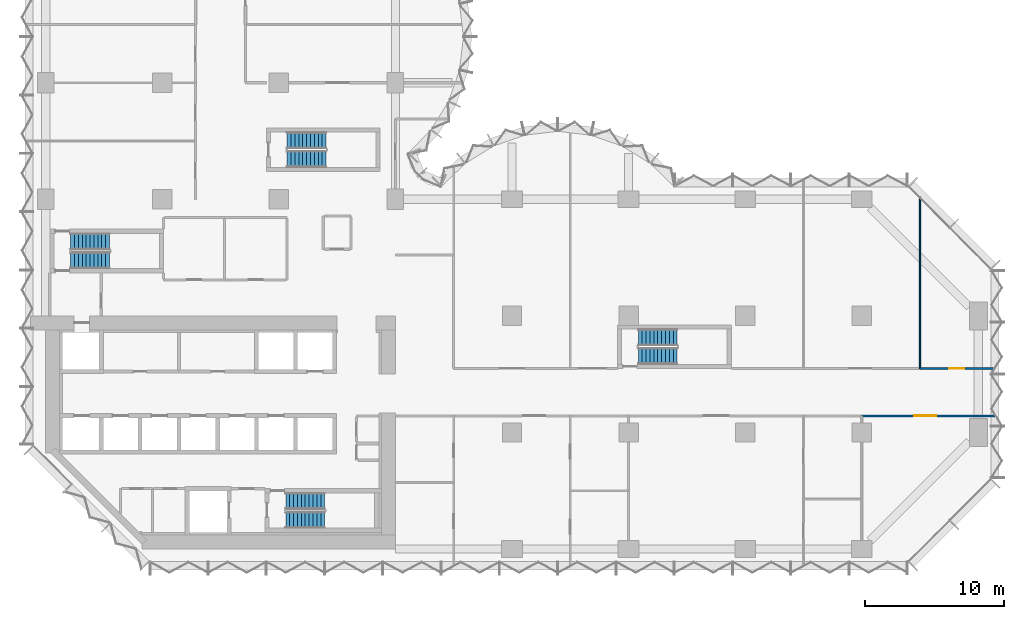
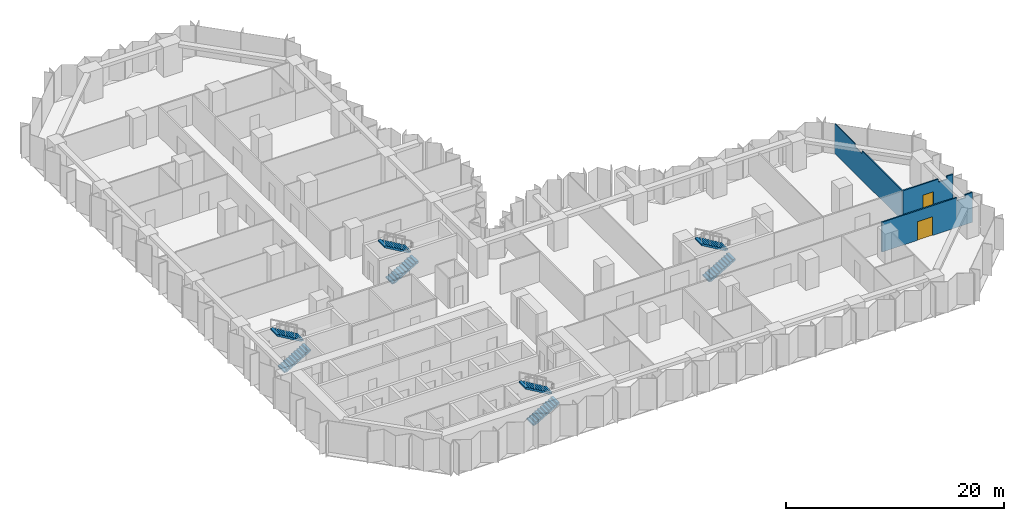
# One storey, part 12 of 15: 8 stair flights, 3 walls, 2 doors, 2 openings, 4 elements without a shape of their own.
"""IFC4 building model written with IfcOpenShell, lengths in metres."""

from ifc_helpers import new_model, si_unit, direction, frame, frame_2d, origin, place, context, subcontext, project, spatial, polyline, rectangle, outline, extrude, material, layer, layer_set, type_object, element, fill, aggregate, save


model = new_model("IFC4")

# Units and contexts
model_context = context("Model", 3, precision=1e-05, world=origin(), true_north=direction((0.0, 1.0)))
body_context = subcontext(model_context, "Body", "Model", "MODEL_VIEW")
ifc_project = project(units=[si_unit("LENGTHUNIT", "METRE"), si_unit("AREAUNIT", "SQUARE_METRE"), si_unit("VOLUMEUNIT", "CUBIC_METRE"), si_unit("PLANEANGLEUNIT", "RADIAN"), si_unit("MASSUNIT", "GRAM", prefix="KILO")], contexts=[model_context])

# Site, building, storey
site_placement = place(None, origin())
site = spatial("IfcSite", under=ifc_project, at=site_placement, CompositionType="ELEMENT")
building_placement = place(site_placement, origin())
building = spatial("IfcBuilding", under=site, at=building_placement, Name="Brevane Broadcast Tower", CompositionType="ELEMENT")
storey_placement = place(building_placement, frame((0.0, 0.0, 47.300048828125)))
storey = spatial("IfcBuildingStorey", under=building, at=storey_placement, Name="L09", CompositionType="ELEMENT", Elevation=47.300048828125)

# Wall
ifc_material_1 = material(Name="Gypsum board partition")
ifc_layer_1 = layer(ifc_material_1, 0.10009765625)
ifc_layer_set_1 = layer_set([ifc_layer_1], Name="PARTITION 100 STUD")
wall_type_1 = type_object("IfcWallType", Name="PARTITION 100 STUD", PredefinedType="PARTITIONING", material=ifc_layer_set_1)
wall_1_placement = place(storey_placement, frame((63.0, 25.39990234375, 0.0), z_axis=(0.0, 0.0, 1.0), x_axis=(0.0, -1.0, 0.0)))
element("IfcWall", 1, at=wall_1_placement, inside=storey, type_object=wall_type_1, Name="Partition G02-034", PredefinedType="PARTITIONING", context=body_context, shape_type="SweptSolid", body=[
    extrude(outline(polyline([(0.0, 0.0), (12.39990234375, 0.0), (12.39990234375, 3.329833984375), (5.065673828125, 3.329833984375), (5.063720703125, 2.97998046875), (3.736328125, 2.97998046875), (3.734375, 3.329833984375), (0.0, 3.329833984375), (0.0, 0.0)])), frame((0.0, 0.050048828125, 0.0), z_axis=(0.0, -1.0, 0.0), x_axis=(1.0, 0.0, 0.0)), (0.0, 0.0, 1.0), 0.10009765625),
])

# Wall, opening, door
ifc_layer_2 = layer(ifc_material_1, 0.14990234375)
ifc_layer_set_2 = layer_set([ifc_layer_2], Name="PARTITION 150 EI 60")
wall_type_2 = type_object("IfcWallType", Name="PARTITION 150 EI 60", PredefinedType="PARTITIONING", material=ifc_layer_set_2)
wall_2_placement = place(storey_placement, frame((68.406982421875, 9.60009765625, 0.0), z_axis=(0.0, 0.0, 1.0), x_axis=(-1.0, 0.0, 0.0)))
wall_2 = element("IfcWall", 2, at=wall_2_placement, inside=storey, type_object=wall_type_2, Name="Partition G02-011", PredefinedType="PARTITIONING", context=body_context, shape_type="SweptSolid", body=[
    extrude(outline(polyline([(0.0, 0.0), (9.60693359375, 0.0), (9.607177734375, 3.329833984375), (1.656982421875, 3.329833984375), (1.655029296875, 2.97998046875), (0.759033203125, 2.97998046875), (0.757080078125, 3.329833984375), (0.127197265625, 3.329833984375), (0.0, 3.329833984375), (0.0, 0.0)])), frame((0.0, 0.074951171875, 0.0), z_axis=(0.0, -1.0, 0.0), x_axis=(1.0, 0.0, 0.0)), (0.0, 0.0, 1.0), 0.14990234375),
])
opening_1_placement = place(wall_2_placement, frame((4.22705078125, 0.0, 0.0)))
opening_1 = element("IfcOpeningElement", 3, at=opening_1_placement, cuts=wall_2, Name="Opening D08-010", PredefinedType="OPENING", context=body_context, shape_type="SweptSolid", body=[
    extrude(rectangle(XDim=1.60009765625, YDim=2.10009765625, at=frame_2d((0.800048828125, 1.050048828125))), frame((0.0, 0.0849609375, 0.0), z_axis=(0.0, -1.0, 0.0), x_axis=(1.0, 0.0, 0.0)), (0.0, 0.0, 1.0), 0.169921875),
])
ifc_material_2 = material(Name="Fire-rated timber door leaf", Category="wood")
door_type_1 = type_object("IfcDoorType", Name="DOOR DOUBLE 1600 FD30S", OperationType="DOUBLE_DOOR_SINGLE_SWING", PredefinedType="DOOR", material=ifc_material_2)
door_1_placement = place(opening_1_placement, origin())
door_1 = element("IfcDoor", 4, at=door_1_placement, inside=storey, type_object=door_type_1, Name="Door D08-010", OperationType="DOUBLE_DOOR_SINGLE_SWING", OverallHeight=2.10009765625, OverallWidth=1.60009765625, PredefinedType="DOOR", context=body_context, shape_type="SweptSolid", body=[
    extrude(rectangle(XDim=1.60009765625, YDim=2.10009765625, at=frame_2d((0.800048828125, 1.050048828125))), frame((0.0, 0.02490234375, 0.0), z_axis=(0.0, -1.0, 0.0), x_axis=(1.0, 0.0, 0.0)), (0.0, 0.0, 1.0), 0.050048828125),
])
fill(opening_1, door_1)

wall_3_placement = place(storey_placement, frame((63.0, 13.0, 0.0), z_axis=(0.0, 0.0, 1.0), x_axis=(1.0, 0.0, 0.0)))
wall_3 = element("IfcWall", 5, at=wall_3_placement, inside=storey, type_object=wall_type_2, Name="Partition G02-016", PredefinedType="PARTITIONING", context=body_context, shape_type="SweptSolid", body=[
    extrude(outline(polyline([(0.0, 0.0), (5.280029296875, 0.0), (5.280029296875, 3.329833984375), (4.64990234375, 3.329833984375), (4.64794921875, 2.97998046875), (3.751953125, 2.97998046875), (3.75, 3.329833984375), (0.0, 3.329833984375), (0.0, 0.0)])), frame((0.0, 0.074951171875, 0.0), z_axis=(0.0, -1.0, 0.0), x_axis=(1.0, 0.0, 0.0)), (0.0, 0.0, 1.0), 0.14990234375),
])
opening_2_placement = place(wall_3_placement, frame((2.10009765625, 0.0, 0.0)))
opening_2 = element("IfcOpeningElement", 6, at=opening_2_placement, cuts=wall_3, Name="Opening D08-014", PredefinedType="OPENING", context=body_context, shape_type="SweptSolid", body=[
    extrude(rectangle(XDim=1.10009765625, YDim=2.10009765625, at=frame_2d((0.550048828125, 1.050048828125))), frame((0.0, 0.0849609375, 0.0), z_axis=(0.0, -1.0, 0.0), x_axis=(1.0, 0.0, 0.0)), (0.0, 0.0, 1.0), 0.169921875),
])
door_type_2 = type_object("IfcDoorType", Name="DOOR SINGLE 1100 FD30S", OperationType="SINGLE_SWING_LEFT", PredefinedType="DOOR", material=ifc_material_2)
door_2_placement = place(opening_2_placement, origin())
door_2 = element("IfcDoor", 7, at=door_2_placement, inside=storey, type_object=door_type_2, Name="Door D08-014", OperationType="SINGLE_SWING_LEFT", OverallHeight=2.10009765625, OverallWidth=1.10009765625, PredefinedType="DOOR", context=body_context, shape_type="SweptSolid", body=[
    extrude(rectangle(XDim=1.10009765625, YDim=2.10009765625, at=frame_2d((0.550048828125, 1.050048828125))), frame((0.0, 0.02490234375, 0.0), z_axis=(0.0, -1.0, 0.0), x_axis=(1.0, 0.0, 0.0)), (0.0, 0.0, 1.0), 0.050048828125),
])
fill(opening_2, door_2)

# Stair, stair flights
ifc_material_3 = material(Name="Concrete C50/60", Category="concrete")
stair_type = type_object("IfcStairType", Name="Exit stair 22 risers", PredefinedType="HALF_TURN_STAIR", material=ifc_material_3)
stair_1_placement = place(storey_placement, origin())
stair_1 = element("IfcStair", 8, at=stair_1_placement, inside=storey, type_object=stair_type, Name="L09 Exit stair ST-1", PredefinedType="HALF_TURN_STAIR")
stair_flight_type = type_object("IfcStairFlightType", Name="Exit stair flight 22 risers", PredefinedType="STRAIGHT", material=ifc_material_3)
stair_flight_1_placement = place(storey_placement, frame((1.800048828125, 20.800048828125, 0.0), z_axis=(0.0, 0.0, 1.0), x_axis=(1.0, 0.0, 0.0)))
stair_flight_1 = element("IfcStairFlight", 9, at=stair_flight_1_placement, type_object=stair_flight_type, Name="ST-1 flight 1", NumberOfRisers=11, NumberOfTreads=10, PredefinedType="STRAIGHT", RiserHeight=0.163636364, TreadLength=0.28, context=body_context, shape_type="SweptSolid", body=[
    extrude(outline(polyline([(0.0, 0.0), (0.0, 0.16357421875), (0.280029296875, 0.16357421875), (0.280029296875, 0.327392578125), (0.56005859375, 0.327392578125), (0.56005859375, 0.490966796875), (0.840087890625, 0.490966796875), (0.840087890625, 0.654541015625), (1.1201171875, 0.654541015625), (1.1201171875, 0.818115234375), (1.39990234375, 0.818115234375), (1.39990234375, 0.98193359375), (1.679931640625, 0.98193359375), (1.679931640625, 1.1455078125), (1.9599609375, 1.1455078125), (1.9599609375, 1.30908203125), (2.239990234375, 1.30908203125), (2.239990234375, 1.47265625), (2.52001953125, 1.47265625), (2.52001953125, 1.636474609375), (2.800048828125, 1.636474609375), (2.800048828125, 1.800048828125), (2.800048828125, 1.462646484375), (0.297119140625, 0.0), (0.0, 0.0)])), frame((0.0, 0.60009765625, 0.0), z_axis=(0.0, -1.0, 0.0), x_axis=(1.0, 0.0, 0.0)), (0.0, 0.0, 1.0), 1.199951171875),
])
stair_flight_2_placement = place(storey_placement, frame((4.60009765625, 22.14990234375, 1.800048828125), z_axis=(0.0, 0.0, 1.0), x_axis=(-1.0, 0.0, 0.0)))
stair_flight_2 = element("IfcStairFlight", 10, at=stair_flight_2_placement, type_object=stair_flight_type, Name="ST-1 flight 2", NumberOfRisers=11, NumberOfTreads=10, PredefinedType="STRAIGHT", RiserHeight=0.163636364, TreadLength=0.28, context=body_context, shape_type="SweptSolid", body=[
    extrude(outline(polyline([(0.0, 0.0), (0.0, 0.16357421875), (0.280029296875, 0.16357421875), (0.280029296875, 0.327392578125), (0.56005859375, 0.327392578125), (0.56005859375, 0.490966796875), (0.840087890625, 0.490966796875), (0.840087890625, 0.654541015625), (1.1201171875, 0.654541015625), (1.1201171875, 0.818115234375), (1.39990234375, 0.818115234375), (1.39990234375, 0.98193359375), (1.679931640625, 0.98193359375), (1.679931640625, 1.1455078125), (1.9599609375, 1.1455078125), (1.9599609375, 1.30908203125), (2.239990234375, 1.30908203125), (2.239990234375, 1.47265625), (2.52001953125, 1.47265625), (2.52001953125, 1.636474609375), (2.800048828125, 1.636474609375), (2.800048828125, 1.800048828125), (2.800048828125, 1.462646484375), (0.297119140625, 0.0), (0.0, 0.0)])), frame((0.0, 0.60009765625, 0.0), z_axis=(0.0, -1.0, 0.0), x_axis=(1.0, 0.0, 0.0)), (0.0, 0.0, 1.0), 1.199951171875),
])
aggregate(stair_1, [stair_flight_1, stair_flight_2])

stair_2_placement = place(storey_placement, origin())
stair_2 = element("IfcStair", 11, at=stair_2_placement, inside=storey, type_object=stair_type, Name="L09 Exit stair ST-2", PredefinedType="HALF_TURN_STAIR")
stair_flight_3_placement = place(storey_placement, frame((17.300048828125, 2.10009765625, 0.0), z_axis=(0.0, 0.0, 1.0), x_axis=(1.0, 0.0, 0.0)))
stair_flight_3 = element("IfcStairFlight", 12, at=stair_flight_3_placement, type_object=stair_flight_type, Name="ST-2 flight 1", NumberOfRisers=11, NumberOfTreads=10, PredefinedType="STRAIGHT", RiserHeight=0.163636364, TreadLength=0.28, context=body_context, shape_type="SweptSolid", body=[
    extrude(outline(polyline([(0.0, 0.0), (0.0, 0.16357421875), (0.280029296875, 0.16357421875), (0.280029296875, 0.327392578125), (0.56005859375, 0.327392578125), (0.56005859375, 0.490966796875), (0.840087890625, 0.490966796875), (0.840087890625, 0.654541015625), (1.1201171875, 0.654541015625), (1.1201171875, 0.818115234375), (1.39990234375, 0.818115234375), (1.39990234375, 0.98193359375), (1.679931640625, 0.98193359375), (1.679931640625, 1.1455078125), (1.9599609375, 1.1455078125), (1.9599609375, 1.30908203125), (2.239990234375, 1.30908203125), (2.239990234375, 1.47265625), (2.52001953125, 1.47265625), (2.52001953125, 1.636474609375), (2.800048828125, 1.636474609375), (2.800048828125, 1.800048828125), (2.800048828125, 1.462646484375), (0.297119140625, 0.0), (0.0, 0.0)])), frame((0.0, 0.60009765625, 0.0), z_axis=(0.0, -1.0, 0.0), x_axis=(1.0, 0.0, 0.0)), (0.0, 0.0, 1.0), 1.199951171875),
])
stair_flight_4_placement = place(storey_placement, frame((20.10009765625, 3.449951171875, 1.800048828125), z_axis=(0.0, 0.0, 1.0), x_axis=(-1.0, 0.0, 0.0)))
stair_flight_4 = element("IfcStairFlight", 13, at=stair_flight_4_placement, type_object=stair_flight_type, Name="ST-2 flight 2", NumberOfRisers=11, NumberOfTreads=10, PredefinedType="STRAIGHT", RiserHeight=0.163636364, TreadLength=0.28, context=body_context, shape_type="SweptSolid", body=[
    extrude(outline(polyline([(0.0, 0.0), (0.0, 0.16357421875), (0.280029296875, 0.16357421875), (0.280029296875, 0.327392578125), (0.56005859375, 0.327392578125), (0.56005859375, 0.490966796875), (0.840087890625, 0.490966796875), (0.840087890625, 0.654541015625), (1.1201171875, 0.654541015625), (1.1201171875, 0.818115234375), (1.39990234375, 0.818115234375), (1.39990234375, 0.98193359375), (1.679931640625, 0.98193359375), (1.679931640625, 1.1455078125), (1.9599609375, 1.1455078125), (1.9599609375, 1.30908203125), (2.239990234375, 1.30908203125), (2.239990234375, 1.47265625), (2.52001953125, 1.47265625), (2.52001953125, 1.636474609375), (2.800048828125, 1.636474609375), (2.800048828125, 1.800048828125), (2.800048828125, 1.462646484375), (0.297119140625, 0.0), (0.0, 0.0)])), frame((0.0, 0.60009765625, 0.0), z_axis=(0.0, -1.0, 0.0), x_axis=(1.0, 0.0, 0.0)), (0.0, 0.0, 1.0), 1.199951171875),
])
aggregate(stair_2, [stair_flight_3, stair_flight_4])

stair_3_placement = place(storey_placement, origin())
stair_3 = element("IfcStair", 14, at=stair_3_placement, inside=storey, type_object=stair_type, Name="L09 Exit stair ST-3", PredefinedType="HALF_TURN_STAIR")
stair_flight_5_placement = place(storey_placement, frame((17.39990234375, 28.10009765625, 0.0), z_axis=(0.0, 0.0, 1.0), x_axis=(1.0, 0.0, 0.0)))
stair_flight_5 = element("IfcStairFlight", 15, at=stair_flight_5_placement, type_object=stair_flight_type, Name="ST-3 flight 1", NumberOfRisers=11, NumberOfTreads=10, PredefinedType="STRAIGHT", RiserHeight=0.163636364, TreadLength=0.28, context=body_context, shape_type="SweptSolid", body=[
    extrude(outline(polyline([(0.0, 0.0), (0.0, 0.16357421875), (0.280029296875, 0.16357421875), (0.280029296875, 0.327392578125), (0.56005859375, 0.327392578125), (0.56005859375, 0.490966796875), (0.840087890625, 0.490966796875), (0.840087890625, 0.654541015625), (1.1201171875, 0.654541015625), (1.1201171875, 0.818115234375), (1.39990234375, 0.818115234375), (1.39990234375, 0.98193359375), (1.679931640625, 0.98193359375), (1.679931640625, 1.1455078125), (1.9599609375, 1.1455078125), (1.9599609375, 1.30908203125), (2.239990234375, 1.30908203125), (2.239990234375, 1.47265625), (2.52001953125, 1.47265625), (2.52001953125, 1.636474609375), (2.800048828125, 1.636474609375), (2.800048828125, 1.800048828125), (2.800048828125, 1.462646484375), (0.297119140625, 0.0), (0.0, 0.0)])), frame((0.0, 0.60009765625, 0.0), z_axis=(0.0, -1.0, 0.0), x_axis=(1.0, 0.0, 0.0)), (0.0, 0.0, 1.0), 1.199951171875),
])
stair_flight_6_placement = place(storey_placement, frame((20.199951171875, 29.449951171875, 1.800048828125), z_axis=(0.0, 0.0, 1.0), x_axis=(-1.0, 0.0, 0.0)))
stair_flight_6 = element("IfcStairFlight", 16, at=stair_flight_6_placement, type_object=stair_flight_type, Name="ST-3 flight 2", NumberOfRisers=11, NumberOfTreads=10, PredefinedType="STRAIGHT", RiserHeight=0.163636364, TreadLength=0.28, context=body_context, shape_type="SweptSolid", body=[
    extrude(outline(polyline([(0.0, 0.0), (0.0, 0.16357421875), (0.280029296875, 0.16357421875), (0.280029296875, 0.327392578125), (0.56005859375, 0.327392578125), (0.56005859375, 0.490966796875), (0.840087890625, 0.490966796875), (0.840087890625, 0.654541015625), (1.1201171875, 0.654541015625), (1.1201171875, 0.818115234375), (1.39990234375, 0.818115234375), (1.39990234375, 0.98193359375), (1.679931640625, 0.98193359375), (1.679931640625, 1.1455078125), (1.9599609375, 1.1455078125), (1.9599609375, 1.30908203125), (2.239990234375, 1.30908203125), (2.239990234375, 1.47265625), (2.52001953125, 1.47265625), (2.52001953125, 1.636474609375), (2.800048828125, 1.636474609375), (2.800048828125, 1.800048828125), (2.800048828125, 1.462646484375), (0.297119140625, 0.0), (0.0, 0.0)])), frame((0.0, 0.60009765625, 0.0), z_axis=(0.0, -1.0, 0.0), x_axis=(1.0, 0.0, 0.0)), (0.0, 0.0, 1.0), 1.199951171875),
])
aggregate(stair_3, [stair_flight_5, stair_flight_6])

stair_4_placement = place(storey_placement, origin())
stair_4 = element("IfcStair", 17, at=stair_4_placement, inside=storey, type_object=stair_type, Name="L09 Exit stair ST-4", PredefinedType="HALF_TURN_STAIR")
stair_flight_7_placement = place(storey_placement, frame((42.699951171875, 13.89990234375, 0.0), z_axis=(0.0, 0.0, 1.0), x_axis=(1.0, 0.0, 0.0)))
stair_flight_7 = element("IfcStairFlight", 18, at=stair_flight_7_placement, type_object=stair_flight_type, Name="ST-4 flight 1", NumberOfRisers=11, NumberOfTreads=10, PredefinedType="STRAIGHT", RiserHeight=0.163636364, TreadLength=0.28, context=body_context, shape_type="SweptSolid", body=[
    extrude(outline(polyline([(0.0, 0.0), (0.0, 0.16357421875), (0.280029296875, 0.16357421875), (0.280029296875, 0.327392578125), (0.56005859375, 0.327392578125), (0.56005859375, 0.490966796875), (0.840087890625, 0.490966796875), (0.840087890625, 0.654541015625), (1.1201171875, 0.654541015625), (1.1201171875, 0.818115234375), (1.39990234375, 0.818115234375), (1.39990234375, 0.98193359375), (1.679931640625, 0.98193359375), (1.679931640625, 1.1455078125), (1.9599609375, 1.1455078125), (1.9599609375, 1.30908203125), (2.239990234375, 1.30908203125), (2.239990234375, 1.47265625), (2.52001953125, 1.47265625), (2.52001953125, 1.636474609375), (2.800048828125, 1.636474609375), (2.800048828125, 1.800048828125), (2.800048828125, 1.462646484375), (0.297119140625, 0.0), (0.0, 0.0)])), frame((0.0, 0.60009765625, 0.0), z_axis=(0.0, -1.0, 0.0), x_axis=(1.0, 0.0, 0.0)), (0.0, 0.0, 1.0), 1.199951171875),
])
stair_flight_8_placement = place(storey_placement, frame((45.5, 15.25, 1.800048828125), z_axis=(0.0, 0.0, 1.0), x_axis=(-1.0, 0.0, 0.0)))
stair_flight_8 = element("IfcStairFlight", 19, at=stair_flight_8_placement, type_object=stair_flight_type, Name="ST-4 flight 2", NumberOfRisers=11, NumberOfTreads=10, PredefinedType="STRAIGHT", RiserHeight=0.163636364, TreadLength=0.28, context=body_context, shape_type="SweptSolid", body=[
    extrude(outline(polyline([(0.0, 0.0), (0.0, 0.16357421875), (0.280029296875, 0.16357421875), (0.280029296875, 0.327392578125), (0.56005859375, 0.327392578125), (0.56005859375, 0.490966796875), (0.840087890625, 0.490966796875), (0.840087890625, 0.654541015625), (1.1201171875, 0.654541015625), (1.1201171875, 0.818115234375), (1.39990234375, 0.818115234375), (1.39990234375, 0.98193359375), (1.679931640625, 0.98193359375), (1.679931640625, 1.1455078125), (1.9599609375, 1.1455078125), (1.9599609375, 1.30908203125), (2.239990234375, 1.30908203125), (2.239990234375, 1.47265625), (2.52001953125, 1.47265625), (2.52001953125, 1.636474609375), (2.800048828125, 1.636474609375), (2.800048828125, 1.800048828125), (2.800048828125, 1.462646484375), (0.297119140625, 0.0), (0.0, 0.0)])), frame((0.0, 0.60009765625, 0.0), z_axis=(0.0, -1.0, 0.0), x_axis=(1.0, 0.0, 0.0)), (0.0, 0.0, 1.0), 1.199951171875),
])
aggregate(stair_4, [stair_flight_7, stair_flight_8])

save(model, "model.ifc")
